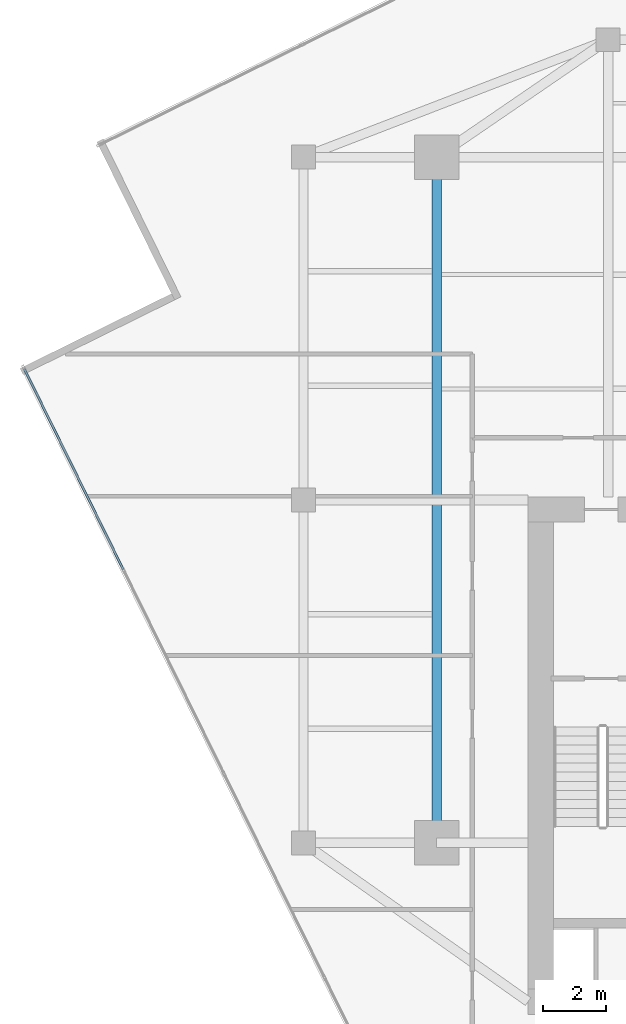
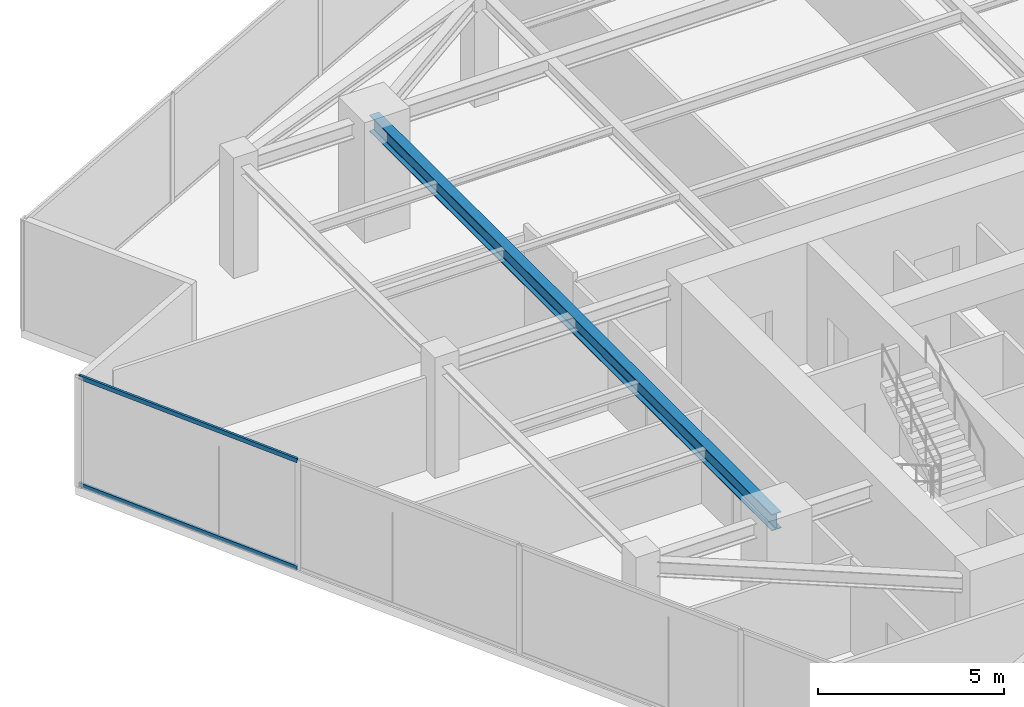
# One storey, part 5 of 22: 2 members, 1 beam, 1 element without a shape of its own.
"""IFC4 building model written with IfcOpenShell, lengths in metres."""

from ifc_helpers import new_model, si_unit, direction, frame, origin, origin_2d, place, context, subcontext, project, spatial, hollow_rectangle, i_section, extrude, source, transform, mapped, material, material_profile, profile_set, type_object, type_shapes, element, aggregate, save


model = new_model("IFC4")

# Units and contexts
model_context = context("Model", 3, precision=1e-05, world=origin(), true_north=direction((0.0, 1.0)))
body_context = subcontext(model_context, "Body", "Model", "MODEL_VIEW")
ifc_project = project(units=[si_unit("LENGTHUNIT", "METRE"), si_unit("AREAUNIT", "SQUARE_METRE"), si_unit("VOLUMEUNIT", "CUBIC_METRE"), si_unit("PLANEANGLEUNIT", "RADIAN"), si_unit("MASSUNIT", "GRAM", prefix="KILO")], contexts=[model_context])

# Site, building, storey
site_placement = place(None, origin())
site = spatial("IfcSite", under=ifc_project, at=site_placement, CompositionType="ELEMENT")
building_placement = place(site_placement, origin())
building = spatial("IfcBuilding", under=site, at=building_placement, Name="Krantzveldt Concourse Tower", CompositionType="ELEMENT")
storey_placement = place(building_placement, frame((0.0, 0.0, 314.800048828125)))
storey = spatial("IfcBuildingStorey", under=building, at=storey_placement, Name="L77", CompositionType="ELEMENT", Elevation=314.800048828125)

# Beam
ifc_material_1 = material(Name="Steel S355JR", Category="steel")
ifc_material_profile_1 = material_profile(ifc_material_1, i_section(OverallWidth=0.300048828125, OverallDepth=0.5400390625, WebThickness=0.012451171875, FlangeThickness=0.02392578125, FilletRadius=0.027099609375, at=origin_2d()), Name="Steel S355JR", Category="steel")
ifc_profile_set_1 = profile_set([ifc_material_profile_1], Name="Steel S355JR - HEA 550")
beam_type = type_object("IfcBeamType", Name="BM-B-HEA550", PredefinedType="BEAM", material=ifc_profile_set_1)
shared_shape_1 = source(origin(), body_context, "Body", "SweptSolid", [
    extrude(i_section(OverallWidth=0.300048828125, OverallDepth=0.5400390625, WebThickness=0.012451171875, FlangeThickness=0.02392578125, FilletRadius=0.027099609375, at=origin_2d()), origin(), (0.0, 0.0, 1.0), 21.60009765625),
])
type_shapes(beam_type, [shared_shape_1])
beam_placement = place(storey_placement, frame((25.199951171875, 15.89990234375, 3.320068359375), z_axis=(0.0, 1.0, 0.0), x_axis=(-1.0, 0.0, 0.0)))
element("IfcBeam", 1, at=beam_placement, inside=storey, type_object=beam_type, Name="L77 Tower Girder BG-MW", PredefinedType="BEAM", context=body_context, shape_type="MappedRepresentation", body=[
    mapped(shared_shape_1, transform((0.0, 0.0, 0.0), x_axis=(1.0, 0.0, 0.0), y_axis=(0.0, 1.0, 0.0), z_axis=(0.0, 0.0, 1.0), scale=1.0)),
])

# Curtain wall, members
ifc_material_2 = material(Name="Anodised aluminium 6063-T6", Category="aluminium")
curtain_wall_type = type_object("IfcCurtainWallType", Name="CW4", PredefinedType="USERDEFINED", material=ifc_material_2)
curtain_wall_placement = place(storey_placement, origin())
curtain_wall = element("IfcCurtainWall", 2, at=curtain_wall_placement, inside=storey, type_object=curtain_wall_type, Name="CW-L77-F04", ObjectType="UNITISED CURTAIN WALL", PredefinedType="USERDEFINED")
ifc_material_profile_2 = material_profile(ifc_material_2, hollow_rectangle(XDim=0.070068359375, YDim=0.139892578125, WallThickness=0.0048828125, at=origin_2d()), Name="Anodised aluminium 6063-T6", Category="aluminium")
ifc_profile_set_2 = profile_set([ifc_material_profile_2], Name="Anodised aluminium 6063-T6 - ALU-TRAN 140x70x5")
member_type = type_object("IfcMemberType", Name="CW-TRN-150", PredefinedType="USERDEFINED", material=ifc_profile_set_2)
shared_shape_2 = source(origin(), body_context, "Body", "SweptSolid", [
    extrude(hollow_rectangle(XDim=0.070068359375, YDim=0.139892578125, WallThickness=0.0048828125, at=origin_2d()), origin(), (0.0, 0.0, 1.0), 7.045166015625),
])
type_shapes(member_type, [shared_shape_2])
member_1_placement = place(storey_placement, frame((12.208251953125, 30.83349609375, 0.034912109375), z_axis=(0.44228599274, -0.896874071777, 0.0), x_axis=(0.896874071777, 0.44228599274, 0.0)))
member_1 = element("IfcMember", 3, at=member_1_placement, type_object=member_type, Name="CW-Z56 transom 1.1", ObjectType="TRANSOM", PredefinedType="USERDEFINED", context=body_context, shape_type="MappedRepresentation", body=[
    mapped(shared_shape_2, transform((0.0, 0.0, 0.0), x_axis=(1.0, 0.0, 0.0), y_axis=(0.0, 1.0, 0.0), z_axis=(0.0, 0.0, 1.0), scale=1.0)),
])
member_2_placement = place(storey_placement, frame((12.208251953125, 30.83349609375, 3.554931640625), z_axis=(0.44228599274, -0.896874071777, 0.0), x_axis=(0.896874071777, 0.44228599274, 0.0)))
member_2 = element("IfcMember", 4, at=member_2_placement, type_object=member_type, Name="CW-Z56 transom 1.2", ObjectType="TRANSOM", PredefinedType="USERDEFINED", context=body_context, shape_type="MappedRepresentation", body=[
    mapped(shared_shape_2, transform((0.0, 0.0, 0.0), x_axis=(1.0, 0.0, 0.0), y_axis=(0.0, 1.0, 0.0), z_axis=(0.0, 0.0, 1.0), scale=1.0)),
])
aggregate(curtain_wall, [member_1, member_2])

save(model, "model.ifc")
